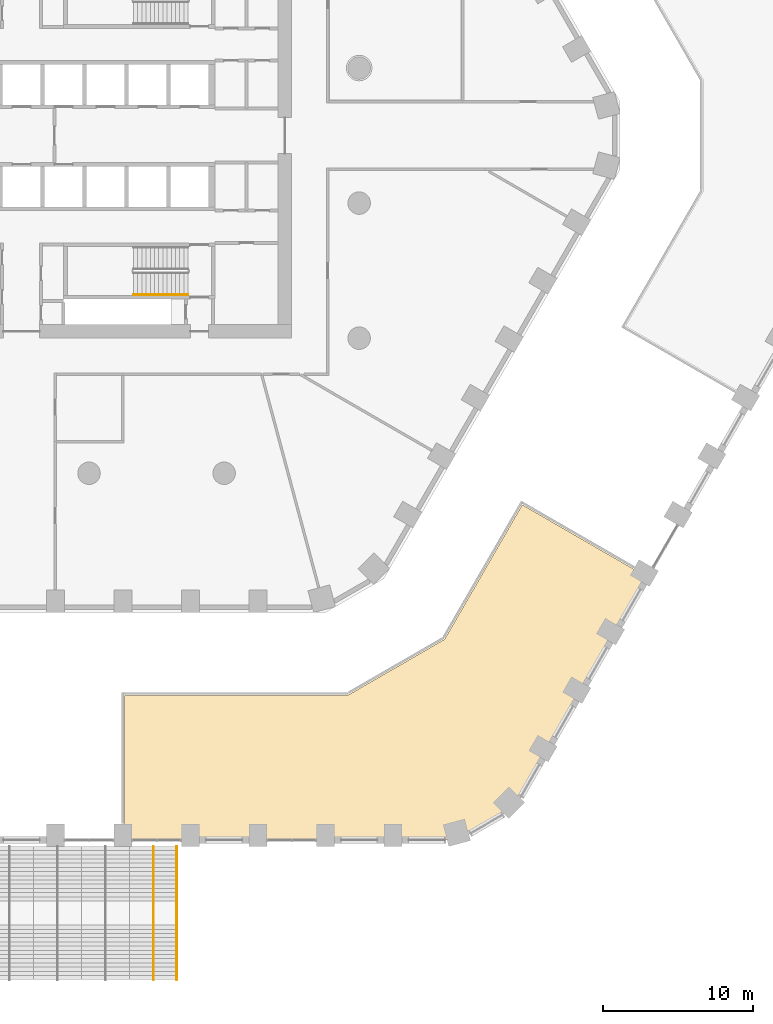
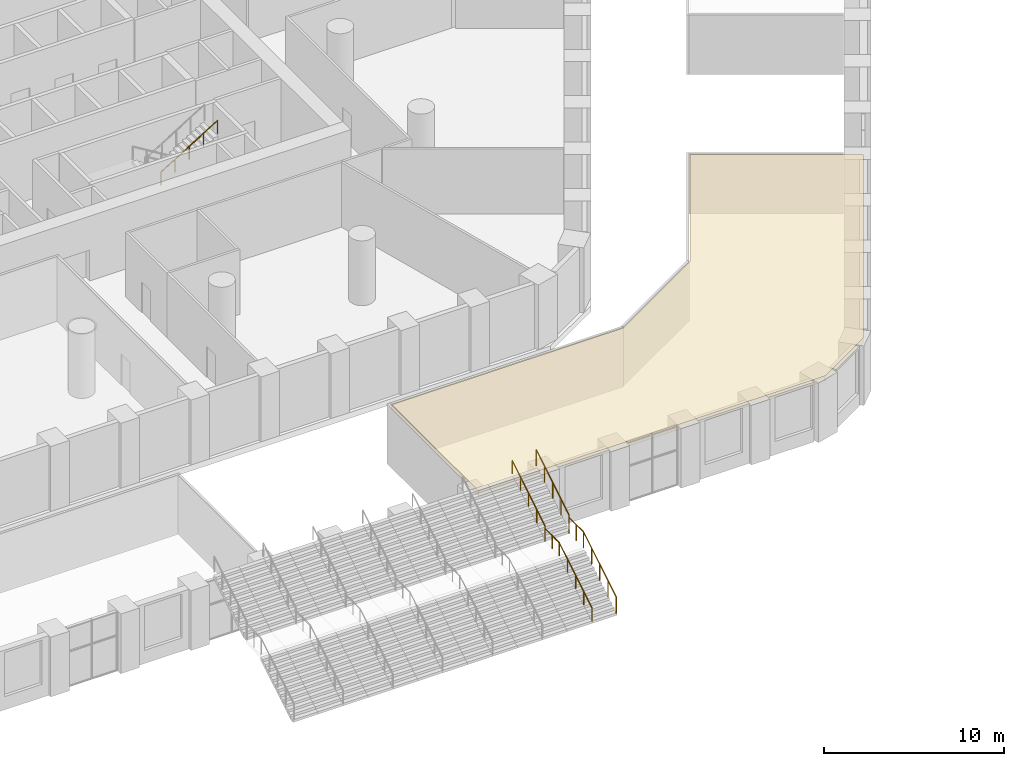
# One storey, part 34 of 42: 3 railings, 1 covering.
"""IFC4 building model written with IfcOpenShell, lengths in metres."""

from ifc_helpers import new_model, si_unit, direction, frame, origin, origin_2d, place, context, subcontext, project, spatial, polyline, circle, outline, extrude, material, layer, layer_set, type_object, element, save


model = new_model("IFC4")

# Units and contexts
model_context = context("Model", 3, precision=1e-05, world=origin(), true_north=direction((0.0, 1.0)))
body_context = subcontext(model_context, "Body", "Model", "MODEL_VIEW")
ifc_project = project(units=[si_unit("LENGTHUNIT", "METRE"), si_unit("AREAUNIT", "SQUARE_METRE"), si_unit("VOLUMEUNIT", "CUBIC_METRE"), si_unit("PLANEANGLEUNIT", "RADIAN"), si_unit("MASSUNIT", "GRAM", prefix="KILO")], contexts=[model_context])

# Site, building, storey
site_placement = place(None, origin())
site = spatial("IfcSite", under=ifc_project, at=site_placement, CompositionType="ELEMENT")
building_placement = place(site_placement, origin())
building = spatial("IfcBuilding", under=site, at=building_placement, Name="Dhurran Vertical Campus", CompositionType="ELEMENT")
storey_placement = place(building_placement, frame((0.0, 0.0, 6.0)))
storey = spatial("IfcBuildingStorey", under=building, at=storey_placement, Name="L01", CompositionType="ELEMENT", Elevation=6.0)

# Railing
ifc_material_1 = material(Name="Stainless steel handrail", Category="steel")
railing_type_1 = type_object("IfcRailingType", Name="co-RL-HANDRAIL-900", PredefinedType="HANDRAIL", material=ifc_material_1)
railing_1_placement = place(storey_placement, frame((7.4599609375, -10.60009765625, 2.571533203125)))
element("IfcRailing", 1, at=railing_1_placement, inside=storey, type_object=railing_type_1, Name="L01 ST4 stair handrail 2", PredefinedType="HANDRAIL", context=body_context, shape_type="SweptSolid", body=[
    extrude(circle(Radius=0.02392578125, at=origin_2d()), frame((0.0, 0.0, 0.8759765625), z_axis=(0.852865859571, 0.0, 0.52213008492), x_axis=(0.0, 1.0, 0.0)), (0.0, 0.0, 1.0), 4.26806640625),
    extrude(circle(Radius=0.02099609375, at=origin_2d()), origin(), (0.0, 0.0, 1.0), 0.851806640625),
    extrude(circle(Radius=0.02099609375, at=origin_2d()), frame((0.91015625, 0.0, 0.55712890625)), (0.0, 0.0, 1.0), 0.851806640625),
    extrude(circle(Radius=0.02099609375, at=origin_2d()), frame((1.820068359375, 0.0, 1.1142578125)), (0.0, 0.0, 1.0), 0.851806640625),
    extrude(circle(Radius=0.02099609375, at=origin_2d()), frame((2.72998046875, 0.0, 1.67138671875)), (0.0, 0.0, 1.0), 0.851806640625),
    extrude(circle(Radius=0.02099609375, at=origin_2d()), frame((3.64013671875, 0.0, 2.228515625)), (0.0, 0.0, 1.0), 0.851806640625),
])

# Covering
ifc_material_2 = material(Name="Mineral fibre ceiling tiles on suspended grid")
ifc_layer = layer(ifc_material_2, 0.35009765625)
ifc_layer_set = layer_set([ifc_layer], Name="Mineral fibre ceiling tiles on suspended grid")
covering_type = type_object("IfcCoveringType", Name="fl-CE-350 suspended ceiling", PredefinedType="CEILING", material=ifc_layer_set)
covering_placement = place(storey_placement, frame((0.0, 0.0, 3.699951171875)))
element("IfcCovering", 2, at=covering_placement, inside=storey, type_object=covering_type, Name="Ceiling 00-H02", PredefinedType="CEILING", context=body_context, shape_type="SweptSolid", body=[
    extrude(outline(polyline([(41.722900390625, -29.424072265625), (32.839111328125, -44.81103515625), (29.137939453125, -46.947998046875), (6.8701171875, -46.947998046875), (6.8701171875, -37.300048828125), (21.72900390625, -37.300048828125), (28.18798828125, -33.571044921875), (33.367919921875, -24.60009765625), (41.722900390625, -29.424072265625)])), origin(), (0.0, 0.0, 1.0), 0.35009765625),
])

# Railings
ifc_material_3 = material(Name="Steel S355J2H", Category="steel")
railing_type_2 = type_object("IfcRailingType", Name="st-guard 1100", PredefinedType="GUARDRAIL", material=ifc_material_3)
railing_2_placement = place(storey_placement, frame((10.35009765625, -56.248291015625, 0.17138671875)))
element("IfcRailing", 3, at=railing_2_placement, inside=storey, type_object=railing_type_2, Name="Broad stair DS2 guard E", PredefinedType="GUARDRAIL", context=body_context, shape_type="SweptSolid", body=[
    extrude(circle(Radius=0.02392578125, at=origin_2d()), frame((0.0, 0.0, 1.076171875), z_axis=(0.0, 0.852850264322, 0.5221555579), x_axis=(-1.0, 0.0, 0.0)), (0.0, 0.0, 1.0), 4.267822265625),
    extrude(circle(Radius=0.02392578125, at=origin_2d()), frame((0.0, 3.639892578125, 3.3046875), z_axis=(0.0, 1.0, 0.0), x_axis=(-1.0, 0.0, 0.0)), (0.0, 0.0, 1.0), 1.60009765625),
    extrude(circle(Radius=0.02392578125, at=origin_2d()), frame((0.0, 5.239990234375, 3.3046875), z_axis=(0.0, 0.0, 1.0), x_axis=(1.0, 0.0, 0.0)), (0.0, 0.0, 1.0), 0.17138671875),
    extrude(circle(Radius=0.02392578125, at=origin_2d()), frame((0.0, 5.239990234375, 3.47607421875), z_axis=(0.0, 0.852824790078, 0.522197163366), x_axis=(-1.0, 0.0, 0.0)), (0.0, 0.0, 1.0), 4.26806640625),
    extrude(circle(Radius=0.02099609375, at=origin_2d()), origin(), (0.0, 0.0, 1.0), 1.052001953125),
    extrude(circle(Radius=0.02099609375, at=origin_2d()), frame((0.0, 0.909912109375, 0.55712890625)), (0.0, 0.0, 1.0), 1.052001953125),
    extrude(circle(Radius=0.02099609375, at=origin_2d()), frame((0.0, 1.81982421875, 1.1142578125)), (0.0, 0.0, 1.0), 1.052001953125),
    extrude(circle(Radius=0.02099609375, at=origin_2d()), frame((0.0, 2.72998046875, 1.67138671875)), (0.0, 0.0, 1.0), 1.052001953125),
    extrude(circle(Radius=0.02099609375, at=origin_2d()), frame((0.0, 3.639892578125, 2.228515625)), (0.0, 0.0, 1.0), 1.052001953125),
    extrude(circle(Radius=0.02099609375, at=origin_2d()), frame((0.0, 4.43994140625, 2.228515625)), (0.0, 0.0, 1.0), 1.052001953125),
    extrude(circle(Radius=0.02099609375, at=origin_2d()), frame((0.0, 5.239990234375, 2.228515625)), (0.0, 0.0, 1.0), 1.052001953125),
    extrude(circle(Radius=0.02099609375, at=origin_2d()), frame((0.0, 5.239990234375, 2.39990234375)), (0.0, 0.0, 1.0), 1.052001953125),
    extrude(circle(Radius=0.02099609375, at=origin_2d()), frame((0.0, 6.14990234375, 2.95703125)), (0.0, 0.0, 1.0), 1.052001953125),
    extrude(circle(Radius=0.02099609375, at=origin_2d()), frame((0.0, 7.06005859375, 3.51416015625)), (0.0, 0.0, 1.0), 1.052001953125),
    extrude(circle(Radius=0.02099609375, at=origin_2d()), frame((0.0, 7.969970703125, 4.071533203125)), (0.0, 0.0, 1.0), 1.052001953125),
    extrude(circle(Radius=0.02099609375, at=origin_2d()), frame((0.0, 8.8798828125, 4.628662109375)), (0.0, 0.0, 1.0), 1.052001953125),
])
ifc_material_4 = material(Name="Steel S355J2H", Category="steel")
railing_type_3 = type_object("IfcRailingType", Name="st-handrail 900", PredefinedType="HANDRAIL", material=ifc_material_4)
railing_3_placement = place(storey_placement, frame((8.800048828125, -56.248291015625, 0.17138671875)))
element("IfcRailing", 4, at=railing_3_placement, inside=storey, type_object=railing_type_3, Name="Broad stair DS2 handrail 6", PredefinedType="HANDRAIL", context=body_context, shape_type="SweptSolid", body=[
    extrude(circle(Radius=0.02392578125, at=origin_2d()), frame((0.0, 0.0, 0.8759765625), z_axis=(0.0, 0.852850264322, 0.5221555579), x_axis=(-1.0, 0.0, 0.0)), (0.0, 0.0, 1.0), 4.267822265625),
    extrude(circle(Radius=0.02392578125, at=origin_2d()), frame((0.0, 3.639892578125, 3.1044921875), z_axis=(0.0, 1.0, 0.0), x_axis=(-1.0, 0.0, 0.0)), (0.0, 0.0, 1.0), 1.60009765625),
    extrude(circle(Radius=0.02392578125, at=origin_2d()), frame((0.0, 5.239990234375, 3.1044921875), z_axis=(0.0, 0.0, 1.0), x_axis=(1.0, 0.0, 0.0)), (0.0, 0.0, 1.0), 0.17138671875),
    extrude(circle(Radius=0.02392578125, at=origin_2d()), frame((0.0, 5.239990234375, 3.27587890625), z_axis=(0.0, 0.852824790078, 0.522197163366), x_axis=(-1.0, 0.0, 0.0)), (0.0, 0.0, 1.0), 4.26806640625),
    extrude(circle(Radius=0.02099609375, at=origin_2d()), origin(), (0.0, 0.0, 1.0), 0.851806640625),
    extrude(circle(Radius=0.02099609375, at=origin_2d()), frame((0.0, 0.909912109375, 0.55712890625)), (0.0, 0.0, 1.0), 0.851806640625),
    extrude(circle(Radius=0.02099609375, at=origin_2d()), frame((0.0, 1.81982421875, 1.1142578125)), (0.0, 0.0, 1.0), 0.851806640625),
    extrude(circle(Radius=0.02099609375, at=origin_2d()), frame((0.0, 2.72998046875, 1.67138671875)), (0.0, 0.0, 1.0), 0.851806640625),
    extrude(circle(Radius=0.02099609375, at=origin_2d()), frame((0.0, 3.639892578125, 2.228515625)), (0.0, 0.0, 1.0), 0.851806640625),
    extrude(circle(Radius=0.02099609375, at=origin_2d()), frame((0.0, 4.43994140625, 2.228515625)), (0.0, 0.0, 1.0), 0.851806640625),
    extrude(circle(Radius=0.02099609375, at=origin_2d()), frame((0.0, 5.239990234375, 2.228515625)), (0.0, 0.0, 1.0), 0.851806640625),
    extrude(circle(Radius=0.02099609375, at=origin_2d()), frame((0.0, 5.239990234375, 2.39990234375)), (0.0, 0.0, 1.0), 0.851806640625),
    extrude(circle(Radius=0.02099609375, at=origin_2d()), frame((0.0, 6.14990234375, 2.95703125)), (0.0, 0.0, 1.0), 0.851806640625),
    extrude(circle(Radius=0.02099609375, at=origin_2d()), frame((0.0, 7.06005859375, 3.51416015625)), (0.0, 0.0, 1.0), 0.851806640625),
    extrude(circle(Radius=0.02099609375, at=origin_2d()), frame((0.0, 7.969970703125, 4.071533203125)), (0.0, 0.0, 1.0), 0.851806640625),
    extrude(circle(Radius=0.02099609375, at=origin_2d()), frame((0.0, 8.8798828125, 4.628662109375)), (0.0, 0.0, 1.0), 0.851806640625),
])

save(model, "model.ifc")
